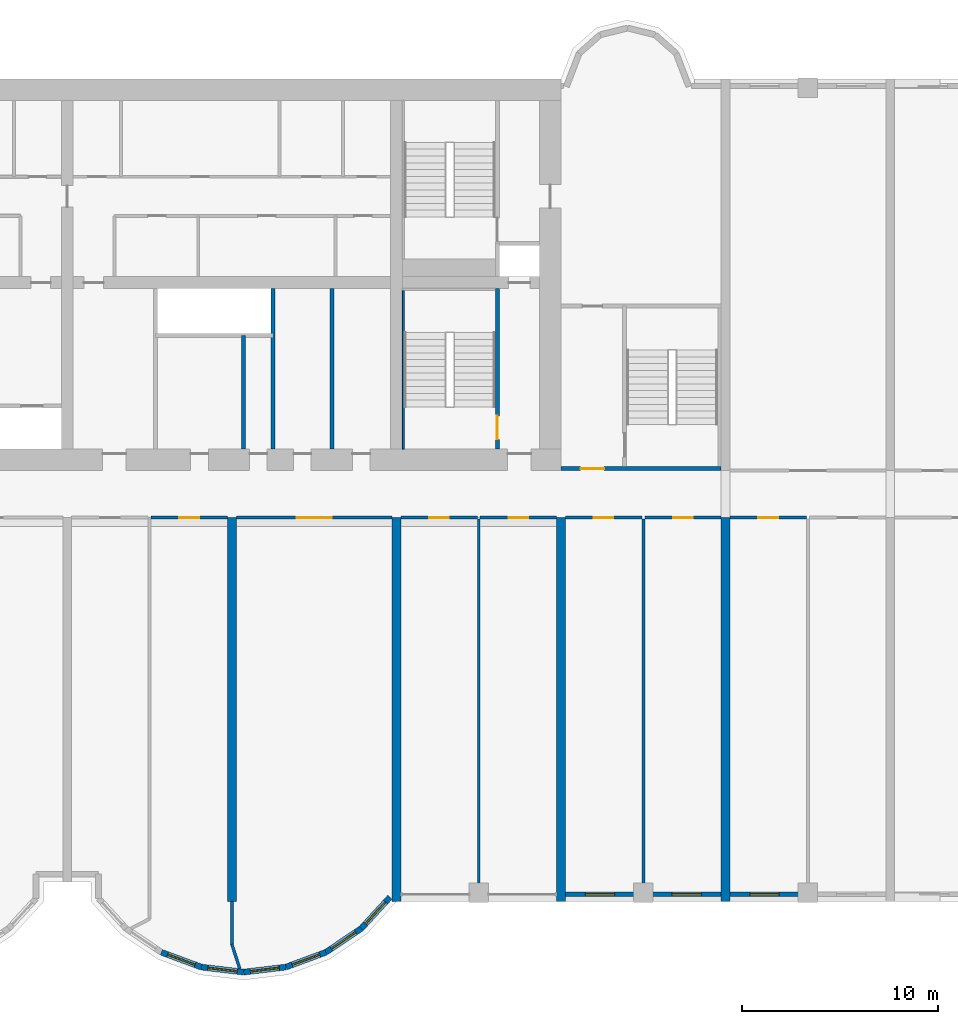
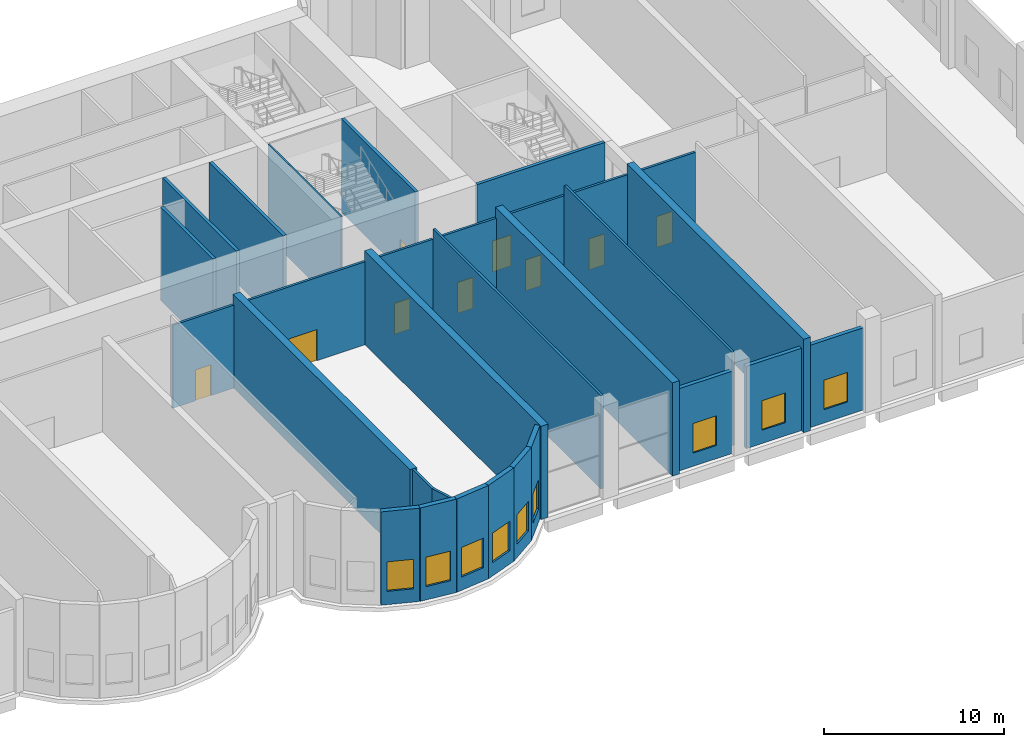
# One storey, part 11 of 15: 30 walls, 9 doors, 9 windows, 18 openings.
"""IFC4 building model written with IfcOpenShell, lengths in metres."""

from ifc_helpers import new_model, si_unit, direction, frame, frame_2d, origin, place, context, subcontext, project, spatial, rectangle, extrude, source, transform, mapped, material, layer, layer_set, type_object, element, fill, save


model = new_model("IFC4")

# Units and contexts
model_context = context("Model", 3, precision=1e-05, world=origin(), true_north=direction((0.0, 1.0)))
body_context = subcontext(model_context, "Body", "Model", "MODEL_VIEW")
ifc_project = project(units=[si_unit("LENGTHUNIT", "METRE"), si_unit("AREAUNIT", "SQUARE_METRE"), si_unit("VOLUMEUNIT", "CUBIC_METRE"), si_unit("PLANEANGLEUNIT", "RADIAN"), si_unit("MASSUNIT", "GRAM", prefix="KILO")], contexts=[model_context])

# Site, building, storey
site_placement = place(None, origin())
site = spatial("IfcSite", under=ifc_project, at=site_placement, CompositionType="ELEMENT")
building_placement = place(site_placement, origin())
building = spatial("IfcBuilding", under=site, at=building_placement, Name="Vanashikhar Sky Hotel", CompositionType="ELEMENT")
storey_placement = place(building_placement, frame((0.0, 0.0, 11.39990234375)))
storey = spatial("IfcBuildingStorey", under=building, at=storey_placement, Name="L02", CompositionType="ELEMENT", Elevation=11.39990234375)

# Walls
ifc_material_1 = material(Name="Concrete M80", Category="concrete")
ifc_layer_1 = layer(ifc_material_1, 0.449951171875)
ifc_layer_set_1 = layer_set([ifc_layer_1], Name="RC shear wall 450 Concrete M80")
wall_type_1 = type_object("IfcWallType", Name="RC shear wall 450 Concrete M80", PredefinedType="SHEAR", material=ifc_layer_set_1)
shared_shape_1 = source(origin(), body_context, "Body", "SweptSolid", [
    extrude(rectangle(XDim=19.60009765625, YDim=0.449951171875, at=frame_2d((9.800048828125, 0.0))), origin(), (0.0, 0.0, 1.0), 6.320068359375),
])
for number, where, z_axis, x_axis, name in (
    (1, (58.800048828125, 0.0, 0.0), (0.0, 0.0, 1.0), (0.0, 1.0, 0.0), "CW-L02-XW08-1"),
    (2, (67.199951171875, 0.0, 0.0), (0.0, 0.0, 1.0), (0.0, 1.0, 0.0), "CW-L02-XW09-1"),
    (3, (75.60009765625, 0.0, 0.0), (0.0, 0.0, 1.0), (0.0, 1.0, 0.0), "CW-L02-XW10-1"),
    (4, (84.0, 0.0, 0.0), (0.0, 0.0, 1.0), (0.0, 1.0, 0.0), "CW-L02-XW11-1"),
):
    element("IfcWall", number, at=place(storey_placement, frame(where, z_axis=z_axis, x_axis=x_axis)), inside=storey, type_object=wall_type_1, Name=name, PredefinedType="SHEAR", context=body_context, shape_type="MappedRepresentation", body=[
        mapped(shared_shape_1, transform((0.0, 0.0, 0.0), scale=1.0)),
    ])

# Wall, opening, window
ifc_material_2 = material(Name="Concrete M50", Category="concrete")
ifc_layer_2 = layer(ifc_material_2, 0.300048828125)
ifc_layer_set_2 = layer_set([ifc_layer_2], Name="Lobe wall 300")
wall_type_2 = type_object("IfcWallType", Name="Lobe wall 300", PredefinedType="SOLIDWALL", material=ifc_layer_set_2)
shared_shape_2 = source(origin(), body_context, "Body", "SweptSolid", [
    extrude(rectangle(XDim=2.17578125, YDim=0.300048828125, at=frame_2d((1.087890625, 0.0))), origin(), (0.0, 0.0, 1.0), 6.320068359375),
])
wall_1_placement = place(storey_placement, frame((55.20068359375, -2.58349609375, 0.0), z_axis=(0.0, 0.0, 1.0), x_axis=(0.93754555999, -0.347862505801, 0.0)))
wall_1 = element("IfcWall", 5, at=wall_1_placement, inside=storey, type_object=wall_type_2, Name="Lobe wall", PredefinedType="SOLIDWALL", context=body_context, shape_type="MappedRepresentation", body=[
    mapped(shared_shape_2, transform((0.0, 0.0, 0.0), scale=1.0)),
])
shared_shape_3 = source(origin(), body_context, "Body", "SweptSolid", [
    extrude(rectangle(XDim=1.5, YDim=2.0, at=frame_2d((0.75, 1.0))), frame((0.0, 0.16015625, 0.0), z_axis=(0.0, -1.0, 0.0), x_axis=(1.0, 0.0, 0.0)), (0.0, 0.0, 1.0), 0.320068359375),
])
opening_1_placement = place(wall_1_placement, frame((0.337890625, 0.0, 0.89990234375)))
opening_1 = element("IfcOpeningElement", 6, at=opening_1_placement, cuts=wall_1, Name="Opening WN-2", PredefinedType="OPENING", context=body_context, shape_type="MappedRepresentation", body=[
    mapped(shared_shape_3, transform((0.0, 0.0, 0.0), scale=1.0)),
])
ifc_material_3 = material(Name="Glass", Category="glass")
window_type = type_object("IfcWindowType", Name="Lobe window 1500 x 2000", PartitioningType="SINGLE_PANEL", PredefinedType="WINDOW", material=ifc_material_3)
shared_shape_4 = source(origin(), body_context, "Body", "SweptSolid", [
    extrude(rectangle(XDim=1.5, YDim=2.0, at=frame_2d((0.75, 1.0))), frame((0.0, 0.030029296875, 0.0), z_axis=(0.0, -1.0, 0.0), x_axis=(1.0, 0.0, 0.0)), (0.0, 0.0, 1.0), 0.06005859375),
])
window_1_placement = place(opening_1_placement, origin())
window_1 = element("IfcWindow", 7, at=window_1_placement, inside=storey, type_object=window_type, Name="Window WN-2", OverallHeight=2.0, OverallWidth=1.5, PartitioningType="SINGLE_PANEL", PredefinedType="WINDOW", context=body_context, shape_type="MappedRepresentation", body=[
    mapped(shared_shape_4, transform((0.0, 0.0, 0.0), scale=1.0)),
])
fill(opening_1, window_1)

wall_2_placement = place(storey_placement, frame((63.59912109375, -2.58349609375, 0.0), z_axis=(0.0, 0.0, 1.0), x_axis=(0.829625727223, 0.558319937607, 0.0)))
wall_2 = element("IfcWall", 8, at=wall_2_placement, inside=storey, type_object=wall_type_2, Name="Lobe wall", PredefinedType="SOLIDWALL", context=body_context, shape_type="MappedRepresentation", body=[
    mapped(shared_shape_2, transform((0.0, 0.0, 0.0), scale=1.0)),
])
opening_2_placement = place(wall_2_placement, frame((0.337890625, 0.0, 0.89990234375)))
opening_2 = element("IfcOpeningElement", 9, at=opening_2_placement, cuts=wall_2, Name="Opening WN-2", PredefinedType="OPENING", context=body_context, shape_type="MappedRepresentation", body=[
    mapped(shared_shape_3, transform((0.0, 0.0, 0.0), scale=1.0)),
])
window_2_placement = place(opening_2_placement, origin())
window_2 = element("IfcWindow", 10, at=window_2_placement, inside=storey, type_object=window_type, Name="Window WN-2", OverallHeight=2.0, OverallWidth=1.5, PartitioningType="SINGLE_PANEL", PredefinedType="WINDOW", context=body_context, shape_type="MappedRepresentation", body=[
    mapped(shared_shape_4, transform((0.0, 0.0, 0.0), scale=1.0)),
])
fill(opening_2, window_2)

shared_shape_5 = source(origin(), body_context, "Body", "SweptSolid", [
    extrude(rectangle(XDim=2.174560546875, YDim=0.300048828125, at=frame_2d((1.08740234375, 0.0))), origin(), (0.0, 0.0, 1.0), 6.320068359375),
])
wall_3_placement = place(storey_placement, frame((57.240478515625, -3.34033203125, 0.0), z_axis=(0.0, 0.0, 1.0), x_axis=(0.993001132889, -0.118104826659, 0.0)))
wall_3 = element("IfcWall", 11, at=wall_3_placement, inside=storey, type_object=wall_type_2, Name="Lobe wall", PredefinedType="SOLIDWALL", context=body_context, shape_type="MappedRepresentation", body=[
    mapped(shared_shape_5, transform((0.0, 0.0, 0.0), scale=1.0)),
])
opening_3_placement = place(wall_3_placement, frame((0.33740234375, 0.0, 0.89990234375)))
opening_3 = element("IfcOpeningElement", 12, at=opening_3_placement, cuts=wall_3, Name="Opening WN-2", PredefinedType="OPENING", context=body_context, shape_type="MappedRepresentation", body=[
    mapped(shared_shape_3, transform((0.0, 0.0, 0.0), scale=1.0)),
])
window_3_placement = place(opening_3_placement, origin())
window_3 = element("IfcWindow", 13, at=window_3_placement, inside=storey, type_object=window_type, Name="Window WN-2", OverallHeight=2.0, OverallWidth=1.5, PartitioningType="SINGLE_PANEL", PredefinedType="WINDOW", context=body_context, shape_type="MappedRepresentation", body=[
    mapped(shared_shape_4, transform((0.0, 0.0, 0.0), scale=1.0)),
])
fill(opening_3, window_3)

shared_shape_6 = source(origin(), body_context, "Body", "SweptSolid", [
    extrude(rectangle(XDim=2.1748046875, YDim=0.300048828125, at=frame_2d((1.08740234375, 0.0))), origin(), (0.0, 0.0, 1.0), 6.320068359375),
])
wall_4_placement = place(storey_placement, frame((59.39990234375, -3.59716796875, 0.0), z_axis=(0.0, 0.0, 1.0), x_axis=(0.993002698611, 0.118091661648, 0.0)))
wall_4 = element("IfcWall", 14, at=wall_4_placement, inside=storey, type_object=wall_type_2, Name="Lobe wall", PredefinedType="SOLIDWALL", context=body_context, shape_type="MappedRepresentation", body=[
    mapped(shared_shape_6, transform((0.0, 0.0, 0.0), scale=1.0)),
])
opening_4_placement = place(wall_4_placement, frame((0.33740234375, 0.0, 0.89990234375)))
opening_4 = element("IfcOpeningElement", 15, at=opening_4_placement, cuts=wall_4, Name="Opening WN-2", PredefinedType="OPENING", context=body_context, shape_type="MappedRepresentation", body=[
    mapped(shared_shape_3, transform((0.0, 0.0, 0.0), scale=1.0)),
])
window_4_placement = place(opening_4_placement, origin())
window_4 = element("IfcWindow", 16, at=window_4_placement, inside=storey, type_object=window_type, Name="Window WN-2", OverallHeight=2.0, OverallWidth=1.5, PartitioningType="SINGLE_PANEL", PredefinedType="WINDOW", context=body_context, shape_type="MappedRepresentation", body=[
    mapped(shared_shape_4, transform((0.0, 0.0, 0.0), scale=1.0)),
])
fill(opening_4, window_4)

shared_shape_7 = source(origin(), body_context, "Body", "SweptSolid", [
    extrude(rectangle(XDim=2.175537109375, YDim=0.300048828125, at=frame_2d((1.087890625, 0.0))), origin(), (0.0, 0.0, 1.0), 6.320068359375),
])
wall_5_placement = place(storey_placement, frame((61.5595703125, -3.34033203125, 0.0), z_axis=(0.0, 0.0, 1.0), x_axis=(0.937531979054, 0.347899106424, 0.0)))
wall_5 = element("IfcWall", 17, at=wall_5_placement, inside=storey, type_object=wall_type_2, Name="Lobe wall", PredefinedType="SOLIDWALL", context=body_context, shape_type="MappedRepresentation", body=[
    mapped(shared_shape_7, transform((0.0, 0.0, 0.0), scale=1.0)),
])
opening_5_placement = place(wall_5_placement, frame((0.337890625, 0.0, 0.89990234375)))
opening_5 = element("IfcOpeningElement", 18, at=opening_5_placement, cuts=wall_5, Name="Opening WN-2", PredefinedType="OPENING", context=body_context, shape_type="MappedRepresentation", body=[
    mapped(shared_shape_3, transform((0.0, 0.0, 0.0), scale=1.0)),
])
window_5_placement = place(opening_5_placement, origin())
window_5 = element("IfcWindow", 19, at=window_5_placement, inside=storey, type_object=window_type, Name="Window WN-2", OverallHeight=2.0, OverallWidth=1.5, PartitioningType="SINGLE_PANEL", PredefinedType="WINDOW", context=body_context, shape_type="MappedRepresentation", body=[
    mapped(shared_shape_4, transform((0.0, 0.0, 0.0), scale=1.0)),
])
fill(opening_5, window_5)

shared_shape_8 = source(origin(), body_context, "Body", "SweptSolid", [
    extrude(rectangle(XDim=2.162109375, YDim=0.300048828125, at=frame_2d((1.0810546875, 0.0))), origin(), (0.0, 0.0, 1.0), 6.320068359375),
])
wall_6_placement = place(storey_placement, frame((65.404296875, -1.36865234375, 0.0), z_axis=(0.0, 0.0, 1.0), x_axis=(0.67537173084, 0.737477474355, 0.0)))
wall_6 = element("IfcWall", 20, at=wall_6_placement, inside=storey, type_object=wall_type_2, Name="Lobe wall", PredefinedType="SOLIDWALL", context=body_context, shape_type="MappedRepresentation", body=[
    mapped(shared_shape_8, transform((0.0, 0.0, 0.0), scale=1.0)),
])
opening_6_placement = place(wall_6_placement, frame((0.3310546875, 0.0, 0.89990234375)))
opening_6 = element("IfcOpeningElement", 21, at=opening_6_placement, cuts=wall_6, Name="Opening WN-2", PredefinedType="OPENING", context=body_context, shape_type="MappedRepresentation", body=[
    mapped(shared_shape_3, transform((0.0, 0.0, 0.0), scale=1.0)),
])
window_6_placement = place(opening_6_placement, origin())
window_6 = element("IfcWindow", 22, at=window_6_placement, inside=storey, type_object=window_type, Name="Window WN-2", OverallHeight=2.0, OverallWidth=1.5, PartitioningType="SINGLE_PANEL", PredefinedType="WINDOW", context=body_context, shape_type="MappedRepresentation", body=[
    mapped(shared_shape_4, transform((0.0, 0.0, 0.0), scale=1.0)),
])
fill(opening_6, window_6)

ifc_layer_3 = layer(ifc_material_2, 0.25)
ifc_layer_set_3 = layer_set([ifc_layer_3], Name="Rear and end board-marked wall 250")
wall_type_3 = type_object("IfcWallType", Name="Rear and end board-marked wall 250", PredefinedType="SOLIDWALL", material=ifc_layer_set_3)
shared_shape_9 = source(origin(), body_context, "Body", "SweptSolid", [
    extrude(rectangle(XDim=3.525146484375, YDim=0.25, at=frame_2d((1.7626953125, 0.0))), origin(), (0.0, 0.0, 1.0), 5.570068359375),
])
wall_7_placement = place(storey_placement, frame((75.824951171875, 0.375, 0.0), z_axis=(0.0, 0.0, 1.0), x_axis=(1.0, 0.0, 0.0)))
wall_7 = element("IfcWall", 23, at=wall_7_placement, inside=storey, type_object=wall_type_3, Name="Podium external wall", PredefinedType="SOLIDWALL", context=body_context, shape_type="MappedRepresentation", body=[
    mapped(shared_shape_9, transform((0.0, 0.0, 0.0), scale=1.0)),
])
shared_shape_10 = source(origin(), body_context, "Body", "SweptSolid", [
    extrude(rectangle(XDim=1.5, YDim=2.0, at=frame_2d((0.75, 1.0))), frame((0.0, 0.135009765625, 0.0), z_axis=(0.0, -1.0, 0.0), x_axis=(1.0, 0.0, 0.0)), (0.0, 0.0, 1.0), 0.27001953125),
])
opening_7_placement = place(wall_7_placement, frame((1.012451171875, 0.0, 0.89990234375)))
opening_7 = element("IfcOpeningElement", 24, at=opening_7_placement, cuts=wall_7, Name="Opening WN-2", PredefinedType="OPENING", context=body_context, shape_type="MappedRepresentation", body=[
    mapped(shared_shape_10, transform((0.0, 0.0, 0.0), scale=1.0)),
])
window_7_placement = place(opening_7_placement, origin())
window_7 = element("IfcWindow", 25, at=window_7_placement, inside=storey, type_object=window_type, Name="Window WN-2", OverallHeight=2.0, OverallWidth=1.5, PartitioningType="SINGLE_PANEL", PredefinedType="WINDOW", context=body_context, shape_type="MappedRepresentation", body=[
    mapped(shared_shape_4, transform((0.0, 0.0, 0.0), scale=1.0)),
])
fill(opening_7, window_7)

shared_shape_11 = source(origin(), body_context, "Body", "SweptSolid", [
    extrude(rectangle(XDim=3.52490234375, YDim=0.25, at=frame_2d((1.762451171875, 0.0))), origin(), (0.0, 0.0, 1.0), 5.570068359375),
])
wall_8_placement = place(storey_placement, frame((80.25, 0.375, 0.0), z_axis=(0.0, 0.0, 1.0), x_axis=(1.0, 0.0, 0.0)))
wall_8 = element("IfcWall", 26, at=wall_8_placement, inside=storey, type_object=wall_type_3, Name="Podium external wall", PredefinedType="SOLIDWALL", context=body_context, shape_type="MappedRepresentation", body=[
    mapped(shared_shape_11, transform((0.0, 0.0, 0.0), scale=1.0)),
])
opening_8_placement = place(wall_8_placement, frame((1.012451171875, 0.0, 0.89990234375)))
opening_8 = element("IfcOpeningElement", 27, at=opening_8_placement, cuts=wall_8, Name="Opening WN-2", PredefinedType="OPENING", context=body_context, shape_type="MappedRepresentation", body=[
    mapped(shared_shape_10, transform((0.0, 0.0, 0.0), scale=1.0)),
])
window_8_placement = place(opening_8_placement, origin())
window_8 = element("IfcWindow", 28, at=window_8_placement, inside=storey, type_object=window_type, Name="Window WN-2", OverallHeight=2.0, OverallWidth=1.5, PartitioningType="SINGLE_PANEL", PredefinedType="WINDOW", context=body_context, shape_type="MappedRepresentation", body=[
    mapped(shared_shape_4, transform((0.0, 0.0, 0.0), scale=1.0)),
])
fill(opening_8, window_8)

wall_9_placement = place(storey_placement, frame((84.22509765625, 0.375, 0.0), z_axis=(0.0, 0.0, 1.0), x_axis=(1.0, 0.0, 0.0)))
wall_9 = element("IfcWall", 29, at=wall_9_placement, inside=storey, type_object=wall_type_3, Name="Podium external wall", PredefinedType="SOLIDWALL", context=body_context, shape_type="MappedRepresentation", body=[
    mapped(shared_shape_11, transform((0.0, 0.0, 0.0), scale=1.0)),
])
opening_9_placement = place(wall_9_placement, frame((1.012451171875, 0.0, 0.89990234375)))
opening_9 = element("IfcOpeningElement", 30, at=opening_9_placement, cuts=wall_9, Name="Opening WN-2", PredefinedType="OPENING", context=body_context, shape_type="MappedRepresentation", body=[
    mapped(shared_shape_10, transform((0.0, 0.0, 0.0), scale=1.0)),
])
window_9_placement = place(opening_9_placement, origin())
window_9 = element("IfcWindow", 31, at=window_9_placement, inside=storey, type_object=window_type, Name="Window WN-2", OverallHeight=2.0, OverallWidth=1.5, PartitioningType="SINGLE_PANEL", PredefinedType="WINDOW", context=body_context, shape_type="MappedRepresentation", body=[
    mapped(shared_shape_4, transform((0.0, 0.0, 0.0), scale=1.0)),
])
fill(opening_9, window_9)

# Walls
ifc_material_4 = material(Name="Gypsum board partition")
ifc_layer_4 = layer(ifc_material_4, 0.14990234375)
ifc_layer_set_4 = layer_set([ifc_layer_4], Name="Service partition 150")
wall_type_4 = type_object("IfcWallType", Name="Service partition 150", PredefinedType="PARTITIONING", material=ifc_layer_set_4)
shared_shape_12 = source(origin(), body_context, "Body", "SweptSolid", [
    extrude(rectangle(XDim=8.199951171875, YDim=0.199951171875, at=frame_2d((4.10009765625, 0.0))), origin(), (0.0, 0.0, 1.0), 6.320068359375),
])
for number, where, z_axis, x_axis, name in (
    (32, (60.89990234375, 23.10009765625, 0.0), (0.0, 0.0, 1.0), (0.0, 1.0, 0.0), "Service partition 150"),
    (33, (63.89990234375, 23.10009765625, 0.0), (0.0, 0.0, 1.0), (0.0, 1.0, 0.0), "Service partition 150"),
):
    element("IfcWall", number, at=place(storey_placement, frame(where, z_axis=z_axis, x_axis=x_axis)), inside=storey, type_object=wall_type_4, Name=name, PredefinedType="PARTITIONING", context=body_context, shape_type="MappedRepresentation", body=[
        mapped(shared_shape_12, transform((0.0, 0.0, 0.0), scale=1.0)),
    ])
shared_shape_13 = source(origin(), body_context, "Body", "SweptSolid", [
    extrude(rectangle(XDim=5.7998046875, YDim=0.199951171875, at=frame_2d((2.89990234375, 0.0))), origin(), (0.0, 0.0, 1.0), 6.320068359375),
])
wall_10_placement = place(storey_placement, frame((59.39990234375, 23.10009765625, 0.0), z_axis=(0.0, 0.0, 1.0), x_axis=(0.0, 1.0, 0.0)))
element("IfcWall", 34, at=wall_10_placement, inside=storey, type_object=wall_type_4, Name="Service partition 150", PredefinedType="PARTITIONING", context=body_context, shape_type="MappedRepresentation", body=[
    mapped(shared_shape_13, transform((0.0, 0.0, 0.0), scale=1.0)),
])

# Wall, opening, door
ifc_layer_5 = layer(ifc_material_2, 0.199951171875)
ifc_layer_set_5 = layer_set([ifc_layer_5], Name="Stair wall 200")
wall_type_5 = type_object("IfcWallType", Name="Stair wall 200", PredefinedType="SOLIDWALL", material=ifc_layer_set_5)
shared_shape_14 = source(origin(), body_context, "Body", "SweptSolid", [
    extrude(rectangle(XDim=8.199951171875, YDim=0.199951171875, at=frame_2d((4.10009765625, 0.0))), origin(), (0.0, 0.0, 1.0), 6.320068359375),
])
wall_11_placement = place(storey_placement, frame((72.35009765625, 23.10009765625, 0.0), z_axis=(0.0, 0.0, 1.0), x_axis=(0.0, 1.0, 0.0)))
wall_11 = element("IfcWall", 35, at=wall_11_placement, inside=storey, type_object=wall_type_5, Name="Stair wall 200", PredefinedType="SOLIDWALL", context=body_context, shape_type="MappedRepresentation", body=[
    mapped(shared_shape_14, transform((0.0, 0.0, 0.0), scale=1.0)),
])
shared_shape_15 = source(origin(), body_context, "Body", "SweptSolid", [
    extrude(rectangle(XDim=1.199951171875, YDim=2.10009765625, at=frame_2d((0.60009765625, 1.050048828125))), frame((0.0, 0.10986328125, 0.0), z_axis=(0.0, -1.0, 0.0), x_axis=(1.0, 0.0, 0.0)), (0.0, 0.0, 1.0), 0.219970703125),
])
opening_10_placement = place(wall_11_placement, frame((0.5, 0.0, 0.0)))
opening_10 = element("IfcOpeningElement", 36, at=opening_10_placement, cuts=wall_11, Name="Opening DC-1", PredefinedType="OPENING", context=body_context, shape_type="MappedRepresentation", body=[
    mapped(shared_shape_15, transform((0.0, 0.0, 0.0), scale=1.0)),
])
ifc_material_5 = material(Name="Steel", Category="steel")
door_type_1 = type_object("IfcDoorType", Name="Stair door 1200 FD120", OperationType="NOTDEFINED", PredefinedType="DOOR", material=ifc_material_5)
shared_shape_16 = source(origin(), body_context, "Body", "SweptSolid", [
    extrude(rectangle(XDim=1.199951171875, YDim=2.10009765625, at=frame_2d((0.60009765625, 1.050048828125))), frame((0.0, 0.02490234375, 0.0), z_axis=(0.0, -1.0, 0.0), x_axis=(1.0, 0.0, 0.0)), (0.0, 0.0, 1.0), 0.050048828125),
])
door_1_placement = place(opening_10_placement, origin())
door_1 = element("IfcDoor", 37, at=door_1_placement, inside=storey, type_object=door_type_1, Name="Stair door 1200 FD120", OperationType="SINGLE_SWING_RIGHT", OverallHeight=2.10009765625, OverallWidth=1.199951171875, PredefinedType="DOOR", context=body_context, shape_type="MappedRepresentation", body=[
    mapped(shared_shape_16, transform((0.0, 0.0, 0.0), scale=1.0)),
])
fill(opening_10, door_1)

shared_shape_17 = source(origin(), body_context, "Body", "SweptSolid", [
    extrude(rectangle(XDim=8.1748046875, YDim=0.199951171875, at=frame_2d((4.08740234375, 0.0))), origin(), (0.0, 0.0, 1.0), 6.320068359375),
])
wall_12_placement = place(storey_placement, frame((83.77490234375, 22.10009765625, 0.0), z_axis=(0.0, 0.0, 1.0), x_axis=(-1.0, 0.0, 0.0)))
wall_12 = element("IfcWall", 38, at=wall_12_placement, inside=storey, type_object=wall_type_5, Name="Stair wall 200", PredefinedType="SOLIDWALL", context=body_context, shape_type="MappedRepresentation", body=[
    mapped(shared_shape_17, transform((0.0, 0.0, 0.0), scale=1.0)),
])
opening_11_placement = place(wall_12_placement, frame((5.97509765625, 0.0, 0.0)))
opening_11 = element("IfcOpeningElement", 39, at=opening_11_placement, cuts=wall_12, Name="Opening DC-2", PredefinedType="OPENING", context=body_context, shape_type="MappedRepresentation", body=[
    mapped(shared_shape_15, transform((0.0, 0.0, 0.0), scale=1.0)),
])
door_type_2 = type_object("IfcDoorType", Name="Firefighting lobby door 1200 FD120", OperationType="NOTDEFINED", PredefinedType="DOOR", material=ifc_material_5)
door_2_placement = place(opening_11_placement, origin())
door_2 = element("IfcDoor", 40, at=door_2_placement, inside=storey, type_object=door_type_2, Name="Firefighting lobby door 1200 FD120", OperationType="SINGLE_SWING_RIGHT", OverallHeight=2.10009765625, OverallWidth=1.199951171875, PredefinedType="DOOR", context=body_context, shape_type="MappedRepresentation", body=[
    mapped(shared_shape_16, transform((0.0, 0.0, 0.0), scale=1.0)),
])
fill(opening_11, door_2)

# Wall
ifc_layer_6 = layer(ifc_material_2, 0.10009765625)
ifc_layer_set_6 = layer_set([ifc_layer_6], Name="Stair infill wall 100")
wall_type_6 = type_object("IfcWallType", Name="Stair infill wall 100", PredefinedType="SOLIDWALL", material=ifc_layer_set_6)
shared_shape_18 = source(origin(), body_context, "Body", "SweptSolid", [
    extrude(rectangle(XDim=8.099853515625, YDim=0.10009765625, at=frame_2d((4.0498046875, 0.0))), origin(), (0.0, 0.0, 1.0), 6.320068359375),
])
wall_13_placement = place(storey_placement, frame((67.550048828125, 23.10009765625, 0.0), z_axis=(0.0, 0.0, 1.0), x_axis=(0.0, 1.0, 0.0)))
element("IfcWall", 41, at=wall_13_placement, inside=storey, type_object=wall_type_6, Name="Stair infill wall 100", PredefinedType="SOLIDWALL", context=body_context, shape_type="MappedRepresentation", body=[
    mapped(shared_shape_18, transform((0.0, 0.0, 0.0), scale=1.0)),
])

# Wall, opening, door
ifc_material_6 = material(Name="Gypsum plasterboard partition")
ifc_layer_7 = layer(ifc_material_6, 0.14990234375)
ifc_layer_set_7 = layer_set([ifc_layer_7], Name="Corridor and demising partition 150")
wall_type_7 = type_object("IfcWallType", Name="Corridor and demising partition 150", PredefinedType="PARTITIONING", material=ifc_layer_set_7)
shared_shape_19 = source(origin(), body_context, "Body", "SweptSolid", [
    extrude(rectangle(XDim=7.9501953125, YDim=0.14990234375, at=frame_2d((3.97509765625, 0.0))), origin(), (0.0, 0.0, 1.0), 5.6201171875),
])
wall_14_placement = place(storey_placement, frame((59.02490234375, 19.60009765625, 0.0), z_axis=(0.0, 0.0, 1.0), x_axis=(1.0, 0.0, 0.0)))
wall_14 = element("IfcWall", 42, at=wall_14_placement, inside=storey, type_object=wall_type_7, Name="W-L02-PW012", PredefinedType="PARTITIONING", context=body_context, shape_type="MappedRepresentation", body=[
    mapped(shared_shape_19, transform((0.0, 0.0, 0.0), scale=1.0)),
])
shared_shape_20 = source(origin(), body_context, "Body", "SweptSolid", [
    extrude(rectangle(XDim=1.800048828125, YDim=2.10009765625, at=frame_2d((0.89990234375, 1.050048828125))), frame((0.0, 0.0849609375, 0.0), z_axis=(0.0, -1.0, 0.0), x_axis=(1.0, 0.0, 0.0)), (0.0, 0.0, 1.0), 0.169921875),
])
opening_12_placement = place(wall_14_placement, frame((3.074951171875, 0.0, 0.0)))
opening_12 = element("IfcOpeningElement", 43, at=opening_12_placement, cuts=wall_14, Name="Opening D-03", PredefinedType="OPENING", context=body_context, shape_type="MappedRepresentation", body=[
    mapped(shared_shape_20, transform((0.0, 0.0, 0.0), scale=1.0)),
])
ifc_material_7 = material(Name="Timber fire door", Category="wood")
door_type_3 = type_object("IfcDoorType", Name="Double leaf door 1800 FD30S", OperationType="NOTDEFINED", PredefinedType="DOOR", material=ifc_material_7)
shared_shape_21 = source(origin(), body_context, "Body", "SweptSolid", [
    extrude(rectangle(XDim=1.800048828125, YDim=2.10009765625, at=frame_2d((0.89990234375, 1.050048828125))), frame((0.0, 0.02490234375, 0.0), z_axis=(0.0, -1.0, 0.0), x_axis=(1.0, 0.0, 0.0)), (0.0, 0.0, 1.0), 0.050048828125),
])
door_3_placement = place(opening_12_placement, origin())
door_3 = element("IfcDoor", 44, at=door_3_placement, inside=storey, type_object=door_type_3, Name="D-L02-010", OperationType="DOUBLE_DOOR_SINGLE_SWING", OverallHeight=2.10009765625, OverallWidth=1.800048828125, PredefinedType="DOOR", context=body_context, shape_type="MappedRepresentation", body=[
    mapped(shared_shape_21, transform((0.0, 0.0, 0.0), scale=1.0)),
])
fill(opening_12, door_3)

shared_shape_22 = source(origin(), body_context, "Body", "SweptSolid", [
    extrude(rectangle(XDim=3.900146484375, YDim=0.14990234375, at=frame_2d((1.9501953125, 0.0))), origin(), (0.0, 0.0, 1.0), 5.6201171875),
])
wall_15_placement = place(storey_placement, frame((75.824951171875, 19.60009765625, 0.0), z_axis=(0.0, 0.0, 1.0), x_axis=(1.0, 0.0, 0.0)))
wall_15 = element("IfcWall", 45, at=wall_15_placement, inside=storey, type_object=wall_type_7, Name="W-L02-PW016", PredefinedType="PARTITIONING", context=body_context, shape_type="MappedRepresentation", body=[
    mapped(shared_shape_22, transform((0.0, 0.0, 0.0), scale=1.0)),
])
shared_shape_23 = source(origin(), body_context, "Body", "SweptSolid", [
    extrude(rectangle(XDim=1.0, YDim=2.10009765625, at=frame_2d((0.5, 1.050048828125))), frame((0.0, 0.0849609375, 0.0), z_axis=(0.0, -1.0, 0.0), x_axis=(1.0, 0.0, 0.0)), (0.0, 0.0, 1.0), 0.169921875),
])
opening_13_placement = place(wall_15_placement, frame((1.449951171875, 0.0, 0.0)))
opening_13 = element("IfcOpeningElement", 46, at=opening_13_placement, cuts=wall_15, Name="Opening D-01", PredefinedType="OPENING", context=body_context, shape_type="MappedRepresentation", body=[
    mapped(shared_shape_23, transform((0.0, 0.0, 0.0), scale=1.0)),
])
door_type_4 = type_object("IfcDoorType", Name="Guest entry door 1000 FD30S", OperationType="NOTDEFINED", PredefinedType="DOOR", material=ifc_material_7)
shared_shape_24 = source(origin(), body_context, "Body", "SweptSolid", [
    extrude(rectangle(XDim=1.0, YDim=2.10009765625, at=frame_2d((0.5, 1.050048828125))), frame((0.0, 0.02490234375, 0.0), z_axis=(0.0, -1.0, 0.0), x_axis=(1.0, 0.0, 0.0)), (0.0, 0.0, 1.0), 0.050048828125),
])
door_4_placement = place(opening_13_placement, origin())
door_4 = element("IfcDoor", 47, at=door_4_placement, inside=storey, type_object=door_type_4, Name="D-L02-013", OperationType="SINGLE_SWING_LEFT", OverallHeight=2.10009765625, OverallWidth=1.0, PredefinedType="DOOR", context=body_context, shape_type="MappedRepresentation", body=[
    mapped(shared_shape_24, transform((0.0, 0.0, 0.0), scale=1.0)),
])
fill(opening_13, door_4)

shared_shape_25 = source(origin(), body_context, "Body", "SweptSolid", [
    extrude(rectangle(XDim=3.89990234375, YDim=0.14990234375, at=frame_2d((1.949951171875, 0.0))), origin(), (0.0, 0.0, 1.0), 5.6201171875),
])
wall_16_placement = place(storey_placement, frame((54.675048828125, 19.60009765625, 0.0), z_axis=(0.0, 0.0, 1.0), x_axis=(1.0, 0.0, 0.0)))
wall_16 = element("IfcWall", 48, at=wall_16_placement, inside=storey, type_object=wall_type_7, Name="W-L02-PW010", PredefinedType="PARTITIONING", context=body_context, shape_type="MappedRepresentation", body=[
    mapped(shared_shape_25, transform((0.0, 0.0, 0.0), scale=1.0)),
])
opening_14_placement = place(wall_16_placement, frame((1.449951171875, 0.0, 0.0)))
opening_14 = element("IfcOpeningElement", 49, at=opening_14_placement, cuts=wall_16, Name="Opening D-01", PredefinedType="OPENING", context=body_context, shape_type="MappedRepresentation", body=[
    mapped(shared_shape_23, transform((0.0, 0.0, 0.0), scale=1.0)),
])
door_5_placement = place(opening_14_placement, origin())
door_5 = element("IfcDoor", 50, at=door_5_placement, inside=storey, type_object=door_type_4, Name="D-L02-009", OperationType="SINGLE_SWING_RIGHT", OverallHeight=2.10009765625, OverallWidth=1.0, PredefinedType="DOOR", context=body_context, shape_type="MappedRepresentation", body=[
    mapped(shared_shape_24, transform((0.0, 0.0, 0.0), scale=1.0)),
])
fill(opening_14, door_5)

wall_17_placement = place(storey_placement, frame((67.425048828125, 19.60009765625, 0.0), z_axis=(0.0, 0.0, 1.0), x_axis=(1.0, 0.0, 0.0)))
wall_17 = element("IfcWall", 51, at=wall_17_placement, inside=storey, type_object=wall_type_7, Name="W-L02-PW013", PredefinedType="PARTITIONING", context=body_context, shape_type="MappedRepresentation", body=[
    mapped(shared_shape_25, transform((0.0, 0.0, 0.0), scale=1.0)),
])
opening_15_placement = place(wall_17_placement, frame((1.449951171875, 0.0, 0.0)))
opening_15 = element("IfcOpeningElement", 52, at=opening_15_placement, cuts=wall_17, Name="Opening D-01", PredefinedType="OPENING", context=body_context, shape_type="MappedRepresentation", body=[
    mapped(shared_shape_23, transform((0.0, 0.0, 0.0), scale=1.0)),
])
door_6_placement = place(opening_15_placement, origin())
door_6 = element("IfcDoor", 53, at=door_6_placement, inside=storey, type_object=door_type_4, Name="D-L02-011", OperationType="SINGLE_SWING_LEFT", OverallHeight=2.10009765625, OverallWidth=1.0, PredefinedType="DOOR", context=body_context, shape_type="MappedRepresentation", body=[
    mapped(shared_shape_24, transform((0.0, 0.0, 0.0), scale=1.0)),
])
fill(opening_15, door_6)

wall_18_placement = place(storey_placement, frame((71.47509765625, 19.60009765625, 0.0), z_axis=(0.0, 0.0, 1.0), x_axis=(1.0, 0.0, 0.0)))
wall_18 = element("IfcWall", 54, at=wall_18_placement, inside=storey, type_object=wall_type_7, Name="W-L02-PW014", PredefinedType="PARTITIONING", context=body_context, shape_type="MappedRepresentation", body=[
    mapped(shared_shape_25, transform((0.0, 0.0, 0.0), scale=1.0)),
])
opening_16_placement = place(wall_18_placement, frame((1.449951171875, 0.0, 0.0)))
opening_16 = element("IfcOpeningElement", 55, at=opening_16_placement, cuts=wall_18, Name="Opening D-01", PredefinedType="OPENING", context=body_context, shape_type="MappedRepresentation", body=[
    mapped(shared_shape_23, transform((0.0, 0.0, 0.0), scale=1.0)),
])
door_7_placement = place(opening_16_placement, origin())
door_7 = element("IfcDoor", 56, at=door_7_placement, inside=storey, type_object=door_type_4, Name="D-L02-012", OperationType="SINGLE_SWING_RIGHT", OverallHeight=2.10009765625, OverallWidth=1.0, PredefinedType="DOOR", context=body_context, shape_type="MappedRepresentation", body=[
    mapped(shared_shape_24, transform((0.0, 0.0, 0.0), scale=1.0)),
])
fill(opening_16, door_7)

wall_19_placement = place(storey_placement, frame((79.875, 19.60009765625, 0.0), z_axis=(0.0, 0.0, 1.0), x_axis=(1.0, 0.0, 0.0)))
wall_19 = element("IfcWall", 57, at=wall_19_placement, inside=storey, type_object=wall_type_7, Name="W-L02-PW017", PredefinedType="PARTITIONING", context=body_context, shape_type="MappedRepresentation", body=[
    mapped(shared_shape_25, transform((0.0, 0.0, 0.0), scale=1.0)),
])
opening_17_placement = place(wall_19_placement, frame((1.449951171875, 0.0, 0.0)))
opening_17 = element("IfcOpeningElement", 58, at=opening_17_placement, cuts=wall_19, Name="Opening D-01", PredefinedType="OPENING", context=body_context, shape_type="MappedRepresentation", body=[
    mapped(shared_shape_23, transform((0.0, 0.0, 0.0), scale=1.0)),
])
door_8_placement = place(opening_17_placement, origin())
door_8 = element("IfcDoor", 59, at=door_8_placement, inside=storey, type_object=door_type_4, Name="D-L02-014", OperationType="SINGLE_SWING_RIGHT", OverallHeight=2.10009765625, OverallWidth=1.0, PredefinedType="DOOR", context=body_context, shape_type="MappedRepresentation", body=[
    mapped(shared_shape_24, transform((0.0, 0.0, 0.0), scale=1.0)),
])
fill(opening_17, door_8)

wall_20_placement = place(storey_placement, frame((84.22509765625, 19.60009765625, 0.0), z_axis=(0.0, 0.0, 1.0), x_axis=(1.0, 0.0, 0.0)))
wall_20 = element("IfcWall", 60, at=wall_20_placement, inside=storey, type_object=wall_type_7, Name="W-L02-PW019", PredefinedType="PARTITIONING", context=body_context, shape_type="MappedRepresentation", body=[
    mapped(shared_shape_25, transform((0.0, 0.0, 0.0), scale=1.0)),
])
opening_18_placement = place(wall_20_placement, frame((1.449951171875, 0.0, 0.0)))
opening_18 = element("IfcOpeningElement", 61, at=opening_18_placement, cuts=wall_20, Name="Opening D-01", PredefinedType="OPENING", context=body_context, shape_type="MappedRepresentation", body=[
    mapped(shared_shape_23, transform((0.0, 0.0, 0.0), scale=1.0)),
])
door_9_placement = place(opening_18_placement, origin())
door_9 = element("IfcDoor", 62, at=door_9_placement, inside=storey, type_object=door_type_4, Name="D-L02-015", OperationType="SINGLE_SWING_LEFT", OverallHeight=2.10009765625, OverallWidth=1.0, PredefinedType="DOOR", context=body_context, shape_type="MappedRepresentation", body=[
    mapped(shared_shape_24, transform((0.0, 0.0, 0.0), scale=1.0)),
])
fill(opening_18, door_9)

# Walls
shared_shape_26 = source(origin(), body_context, "Body", "SweptSolid", [
    extrude(rectangle(XDim=18.625, YDim=0.14990234375, at=frame_2d((9.3125, 0.0))), origin(), (0.0, 0.0, 1.0), 6.320068359375),
])
for number, where, z_axis, x_axis, name in (
    (63, (71.39990234375, 0.89990234375, 0.0), (0.0, 0.0, 1.0), (0.0, 1.0, 0.0), "W-L02-PW015"),
    (64, (79.800048828125, 0.89990234375, 0.0), (0.0, 0.0, 1.0), (0.0, 1.0, 0.0), "W-L02-PW018"),
):
    element("IfcWall", number, at=place(storey_placement, frame(where, z_axis=z_axis, x_axis=x_axis)), inside=storey, type_object=wall_type_7, Name=name, PredefinedType="PARTITIONING", context=body_context, shape_type="MappedRepresentation", body=[
        mapped(shared_shape_26, transform((0.0, 0.0, 0.0), scale=1.0)),
    ])
shared_shape_27 = source(origin(), body_context, "Body", "SweptSolid", [
    extrude(rectangle(XDim=2.177978515625, YDim=0.14990234375, at=frame_2d((1.0888671875, 0.0))), origin(), (0.0, 0.0, 1.0), 6.320068359375),
])
wall_21_placement = place(storey_placement, frame((58.800048828125, -2.177978515625, 0.0), z_axis=(0.0, 0.0, 1.0), x_axis=(0.0, 1.0, 0.0)))
element("IfcWall", 65, at=wall_21_placement, inside=storey, type_object=wall_type_7, Name="W-L02-PW024", PredefinedType="PARTITIONING", context=body_context, shape_type="MappedRepresentation", body=[
    mapped(shared_shape_27, transform((0.0, 0.0, 0.0), scale=1.0)),
])
shared_shape_28 = source(origin(), body_context, "Body", "SweptSolid", [
    extrude(rectangle(XDim=1.308349609375, YDim=0.14990234375, at=frame_2d((0.654296875, 0.0))), origin(), (0.0, 0.0, 1.0), 6.320068359375),
])
wall_22_placement = place(storey_placement, frame((59.201904296875, -3.423095703125, 0.0), z_axis=(0.0, 0.0, 1.0), x_axis=(-0.307144529633, 0.951662880392, 0.0)))
element("IfcWall", 66, at=wall_22_placement, inside=storey, type_object=wall_type_7, Name="W-L02-PW024B0", PredefinedType="PARTITIONING", context=body_context, shape_type="MappedRepresentation", body=[
    mapped(shared_shape_28, transform((0.0, 0.0, 0.0), scale=1.0)),
])

save(model, "model.ifc")
